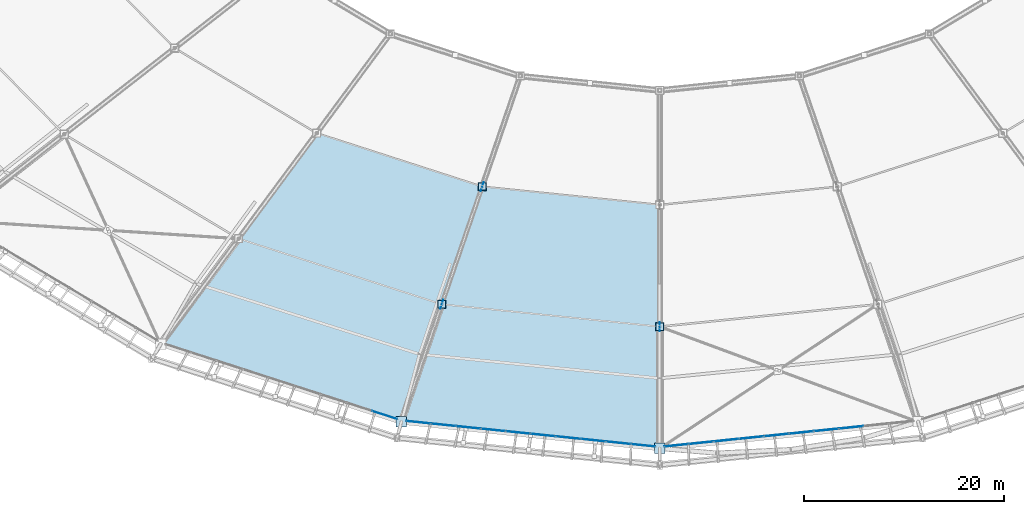
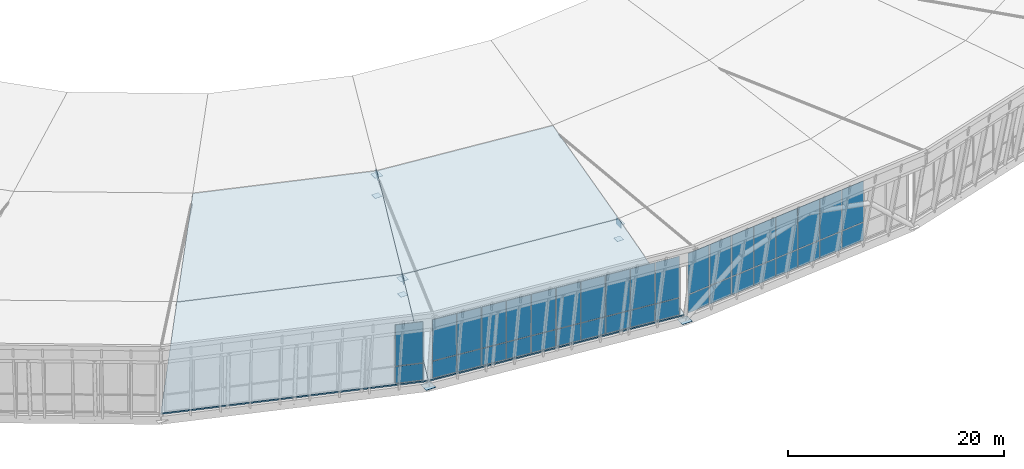
# One storey, part 82 of 115: 49 plates, 4 slabs, 4 elements without a shape of their own.
"""IFC4 building model written with IfcOpenShell, lengths in metres."""

from ifc_helpers import new_model, si_unit, direction, frame, origin, origin_2d, place, context, subcontext, project, spatial, polyline, rectangle, outline, extrude, material, layer, layer_set, type_object, element, aggregate, save


model = new_model("IFC4")

# Units and contexts
model_context = context("Model", 3, precision=1e-05, world=origin(), true_north=direction((0.0, 1.0)))
body_context = subcontext(model_context, "Body", "Model", "MODEL_VIEW")
ifc_project = project(units=[si_unit("LENGTHUNIT", "METRE"), si_unit("AREAUNIT", "SQUARE_METRE"), si_unit("VOLUMEUNIT", "CUBIC_METRE"), si_unit("PLANEANGLEUNIT", "RADIAN"), si_unit("MASSUNIT", "GRAM", prefix="KILO")], contexts=[model_context])

# Site, building, storey
site_placement = place(None, origin())
site = spatial("IfcSite", under=ifc_project, at=site_placement, CompositionType="ELEMENT")
building_placement = place(site_placement, origin())
building = spatial("IfcBuilding", under=site, at=building_placement, Name="Zlatoyarsky Gate Stadium", CompositionType="ELEMENT")
storey_placement = place(building_placement, frame((0.0, 0.0, 31.800048828125)))
storey = spatial("IfcBuildingStorey", under=building, at=storey_placement, Name="RF", CompositionType="ELEMENT", Elevation=31.800048828125)

# Curtain wall, plates
ifc_material_1 = material(Name="Thermally broken anodised aluminium curtain wall", Category="aluminium")
curtain_wall_type_1 = type_object("IfcCurtainWallType", Name="MONUMENTAL ARCHED GATE GLAZING UPPER", PredefinedType="USERDEFINED", material=ifc_material_1)
curtain_wall_1_placement = place(storey_placement, origin())
curtain_wall_1 = element("IfcCurtainWall", 1, at=curtain_wall_1_placement, inside=storey, type_object=curtain_wall_type_1, Name="Curtain wall CW-RF-18", ObjectType="ARCHED GATE GLAZING", PredefinedType="USERDEFINED")
ifc_material_2 = material(Name="Triple-glazed argon low-e architectural glass", Category="glass")
ifc_layer_1 = layer(ifc_material_2, 0.0458984375)
ifc_layer_set_1 = layer_set([ifc_layer_1], Name="Triple-glazed argon low-e architectural glass")
plate_type_1 = type_object("IfcPlateType", Name="ACOUSTIC LAMINATED GATE GLAZING PANEL 46", PredefinedType="CURTAIN_PANEL", material=ifc_layer_set_1)
plate_1_placement = place(storey_placement, frame((112.66943359375, 2.28369140625, 0.074951171875), z_axis=(0.0, 0.0, 1.0), x_axis=(0.994771556649, 0.102125168703, 0.0)))
plate_1 = element("IfcPlate", 2, at=plate_1_placement, type_object=plate_type_1, Name="CW-AG2 panel 1.1", PredefinedType="CURTAIN_PANEL", context=body_context, shape_type="SweptSolid", body=[
    extrude(rectangle(XDim=2.40625, YDim=0.0458984375, at=origin_2d()), origin(), (0.0, 0.0, 1.0), 2.03759765625),
])
plate_2_placement = place(storey_placement, frame((112.66943359375, 2.28369140625, 2.1875), z_axis=(0.0, 0.0, 1.0), x_axis=(0.994771556649, 0.102125168703, 0.0)))
plate_2 = element("IfcPlate", 3, at=plate_2_placement, type_object=plate_type_1, Name="CW-AG2 panel 1.2", PredefinedType="CURTAIN_PANEL", context=body_context, shape_type="SweptSolid", body=[
    extrude(rectangle(XDim=2.40625, YDim=0.0458984375, at=origin_2d()), origin(), (0.0, 0.0, 1.0), 4.637451171875),
])
plate_3_placement = place(storey_placement, frame((115.156494140625, 2.5390625, 0.074951171875), z_axis=(0.0, 0.0, 1.0), x_axis=(0.994771556649, 0.102125168703, 0.0)))
plate_3 = element("IfcPlate", 4, at=plate_3_placement, type_object=plate_type_1, Name="CW-AG2 panel 2.1", PredefinedType="CURTAIN_PANEL", context=body_context, shape_type="SweptSolid", body=[
    extrude(rectangle(XDim=2.44384765625, YDim=0.0458984375, at=origin_2d()), origin(), (0.0, 0.0, 1.0), 2.03759765625),
])
plate_4_placement = place(storey_placement, frame((115.156494140625, 2.5390625, 2.1875), z_axis=(0.0, 0.0, 1.0), x_axis=(0.994771556649, 0.102125168703, 0.0)))
plate_4 = element("IfcPlate", 5, at=plate_4_placement, type_object=plate_type_1, Name="CW-AG2 panel 2.2", PredefinedType="CURTAIN_PANEL", context=body_context, shape_type="SweptSolid", body=[
    extrude(rectangle(XDim=2.44384765625, YDim=0.0458984375, at=origin_2d()), origin(), (0.0, 0.0, 1.0), 4.637451171875),
])
plate_5_placement = place(storey_placement, frame((117.662109375, 2.79638671875, 0.074951171875), z_axis=(0.0, 0.0, 1.0), x_axis=(0.994771556649, 0.102125168703, 0.0)))
plate_5 = element("IfcPlate", 6, at=plate_5_placement, type_object=plate_type_1, Name="CW-AG2 panel 3.1", PredefinedType="CURTAIN_PANEL", context=body_context, shape_type="SweptSolid", body=[
    extrude(rectangle(XDim=2.44384765625, YDim=0.0458984375, at=origin_2d()), origin(), (0.0, 0.0, 1.0), 2.03759765625),
])
plate_6_placement = place(storey_placement, frame((117.662109375, 2.79638671875, 2.1875), z_axis=(0.0, 0.0, 1.0), x_axis=(0.994771556649, 0.102125168703, 0.0)))
plate_6 = element("IfcPlate", 7, at=plate_6_placement, type_object=plate_type_1, Name="CW-AG2 panel 3.2", PredefinedType="CURTAIN_PANEL", context=body_context, shape_type="SweptSolid", body=[
    extrude(rectangle(XDim=2.44384765625, YDim=0.0458984375, at=origin_2d()), origin(), (0.0, 0.0, 1.0), 4.637451171875),
])
plate_7_placement = place(storey_placement, frame((120.16796875, 3.053466796875, 0.074951171875), z_axis=(0.0, 0.0, 1.0), x_axis=(0.994771556649, 0.102125168703, 0.0)))
plate_7 = element("IfcPlate", 8, at=plate_7_placement, type_object=plate_type_1, Name="CW-AG2 panel 4.1", PredefinedType="CURTAIN_PANEL", context=body_context, shape_type="SweptSolid", body=[
    extrude(rectangle(XDim=2.44384765625, YDim=0.0458984375, at=origin_2d()), origin(), (0.0, 0.0, 1.0), 2.03759765625),
])
plate_8_placement = place(storey_placement, frame((120.16796875, 3.053466796875, 2.1875), z_axis=(0.0, 0.0, 1.0), x_axis=(0.994771556649, 0.102125168703, 0.0)))
plate_8 = element("IfcPlate", 9, at=plate_8_placement, type_object=plate_type_1, Name="CW-AG2 panel 4.2", PredefinedType="CURTAIN_PANEL", context=body_context, shape_type="SweptSolid", body=[
    extrude(rectangle(XDim=2.44384765625, YDim=0.0458984375, at=origin_2d()), origin(), (0.0, 0.0, 1.0), 4.637451171875),
])
plate_9_placement = place(storey_placement, frame((122.673583984375, 3.310791015625, 0.074951171875), z_axis=(0.0, 0.0, 1.0), x_axis=(0.994771556649, 0.102125168703, 0.0)))
plate_9 = element("IfcPlate", 10, at=plate_9_placement, type_object=plate_type_1, Name="CW-AG2 panel 5.1", PredefinedType="CURTAIN_PANEL", context=body_context, shape_type="SweptSolid", body=[
    extrude(rectangle(XDim=2.44384765625, YDim=0.0458984375, at=origin_2d()), origin(), (0.0, 0.0, 1.0), 2.03759765625),
])
plate_10_placement = place(storey_placement, frame((122.673583984375, 3.310791015625, 2.1875), z_axis=(0.0, 0.0, 1.0), x_axis=(0.994771556649, 0.102125168703, 0.0)))
plate_10 = element("IfcPlate", 11, at=plate_10_placement, type_object=plate_type_1, Name="CW-AG2 panel 5.2", PredefinedType="CURTAIN_PANEL", context=body_context, shape_type="SweptSolid", body=[
    extrude(rectangle(XDim=2.44384765625, YDim=0.0458984375, at=origin_2d()), origin(), (0.0, 0.0, 1.0), 4.637451171875),
])
plate_11_placement = place(storey_placement, frame((125.17919921875, 3.568115234375, 0.074951171875), z_axis=(0.0, 0.0, 1.0), x_axis=(0.994771556649, 0.102125168703, 0.0)))
plate_11 = element("IfcPlate", 12, at=plate_11_placement, type_object=plate_type_1, Name="CW-AG2 panel 6.1", PredefinedType="CURTAIN_PANEL", context=body_context, shape_type="SweptSolid", body=[
    extrude(rectangle(XDim=2.44384765625, YDim=0.0458984375, at=origin_2d()), origin(), (0.0, 0.0, 1.0), 2.03759765625),
])
plate_12_placement = place(storey_placement, frame((125.17919921875, 3.568115234375, 2.1875), z_axis=(0.0, 0.0, 1.0), x_axis=(0.994771556649, 0.102125168703, 0.0)))
plate_12 = element("IfcPlate", 13, at=plate_12_placement, type_object=plate_type_1, Name="CW-AG2 panel 6.2", PredefinedType="CURTAIN_PANEL", context=body_context, shape_type="SweptSolid", body=[
    extrude(rectangle(XDim=2.44384765625, YDim=0.0458984375, at=origin_2d()), origin(), (0.0, 0.0, 1.0), 4.637451171875),
])
plate_13_placement = place(storey_placement, frame((127.68505859375, 3.8251953125, 0.074951171875), z_axis=(0.0, 0.0, 1.0), x_axis=(0.994771556649, 0.102125168703, 0.0)))
plate_13 = element("IfcPlate", 14, at=plate_13_placement, type_object=plate_type_1, Name="CW-AG2 panel 7.1", PredefinedType="CURTAIN_PANEL", context=body_context, shape_type="SweptSolid", body=[
    extrude(rectangle(XDim=2.44384765625, YDim=0.0458984375, at=origin_2d()), origin(), (0.0, 0.0, 1.0), 2.03759765625),
])
plate_14_placement = place(storey_placement, frame((127.68505859375, 3.8251953125, 2.1875), z_axis=(0.0, 0.0, 1.0), x_axis=(0.994771556649, 0.102125168703, 0.0)))
plate_14 = element("IfcPlate", 15, at=plate_14_placement, type_object=plate_type_1, Name="CW-AG2 panel 7.2", PredefinedType="CURTAIN_PANEL", context=body_context, shape_type="SweptSolid", body=[
    extrude(rectangle(XDim=2.44384765625, YDim=0.0458984375, at=origin_2d()), origin(), (0.0, 0.0, 1.0), 4.637451171875),
])
plate_15_placement = place(storey_placement, frame((130.190673828125, 4.08251953125, 0.074951171875), z_axis=(0.0, 0.0, 1.0), x_axis=(0.994771556649, 0.102125168703, 0.0)))
plate_15 = element("IfcPlate", 16, at=plate_15_placement, type_object=plate_type_1, Name="CW-AG2 panel 8.1", PredefinedType="CURTAIN_PANEL", context=body_context, shape_type="SweptSolid", body=[
    extrude(rectangle(XDim=2.44384765625, YDim=0.0458984375, at=origin_2d()), origin(), (0.0, 0.0, 1.0), 2.03759765625),
])
plate_16_placement = place(storey_placement, frame((130.190673828125, 4.08251953125, 2.1875), z_axis=(0.0, 0.0, 1.0), x_axis=(0.994771556649, 0.102125168703, 0.0)))
plate_16 = element("IfcPlate", 17, at=plate_16_placement, type_object=plate_type_1, Name="CW-AG2 panel 8.2", PredefinedType="CURTAIN_PANEL", context=body_context, shape_type="SweptSolid", body=[
    extrude(rectangle(XDim=2.44384765625, YDim=0.0458984375, at=origin_2d()), origin(), (0.0, 0.0, 1.0), 4.637451171875),
])
aggregate(curtain_wall_1, [plate_1, plate_2, plate_3, plate_4, plate_5, plate_6, plate_7, plate_8, plate_9, plate_10, plate_11, plate_12, plate_13, plate_14, plate_15, plate_16])

# Roof, slabs
ifc_material_3 = material(Name="Standing-seam aluminium-zinc roofing with mineral wool insulation", Category="aluminium")
ifc_layer_2 = layer(ifc_material_3, 0.080078125)
ifc_layer_set_2 = layer_set([ifc_layer_2], Name="Standing-seam aluminium-zinc roofing with mineral wool insulation")
roof_type = type_object("IfcRoofType", Name="STADIUM BARREL VAULT ROOF ASSEMBLY", PredefinedType="BARREL_ROOF", material=ifc_layer_set_2)
roof_placement = place(storey_placement, origin())
roof = element("IfcRoof", 18, at=roof_placement, inside=storey, type_object=roof_type, Name="Stadium barrel arch roof sector 6", PredefinedType="BARREL_ROOF")
ifc_material_4 = material(Name="Concrete C40/50", Category="concrete")
ifc_layer_3 = layer(ifc_material_4, 0.199951171875)
ifc_layer_set_3 = layer_set([ifc_layer_3], Name="Concrete C40/50")
slab_type = type_object("IfcSlabType", Name="COMPOSITE STADIUM ROOF DECK SLAB 200", PredefinedType="ROOF", material=ifc_layer_set_3)
slab_1_placement = place(storey_placement, frame((60.986083984375, 12.426025390625, 0.199951171875), z_axis=(-0.080926633941, -0.25045970369, 0.964738729785), x_axis=(0.951561589275, -0.307458195234, 8.16732e-07)))
slab_1 = element("IfcSlab", 19, at=slab_1_placement, type_object=slab_type, Name="Stadium arched roof deck sector 16 bay 1", PredefinedType="ROOF", context=body_context, shape_type="SweptSolid", body=[
    extrude(outline(polyline([(0.0, 0.0), (25.352803638085895, 0.0), (25.581554553527695, 12.9170218581198), (4.193966523606391, 12.91716689231748), (0.0, 0.0)])), origin(), (0.0, 0.0, -1.0), 0.199951171875),
])
slab_2_placement = place(storey_placement, frame((68.808349609375, 22.99462890625, 3.599853515625), z_axis=(-0.075351968542, -0.233204753285, 0.969503802923), x_axis=(0.951559522359, -0.30746459212, -3.31256e-07)))
slab_2 = element("IfcSlab", 20, at=slab_2_placement, type_object=slab_type, Name="Stadium arched roof deck sector 16 bay 2", PredefinedType="ROOF", context=body_context, shape_type="SweptSolid", body=[
    extrude(outline(polyline([(0.0, 0.0), (21.387588030422577, -1.7763568394002505e-15), (21.616176287943148, 12.853768736129386), (4.193878929177778, 12.853716278917283), (0.0, 0.0)])), origin(), (0.0, 0.0, -1.0), 0.199951171875),
])
slab_3_placement = place(storey_placement, frame((85.11083984375, 4.631103515625, 0.199951171875), z_axis=(-0.027549713933, -0.26827762125, 0.962947626405), x_axis=(0.994768228243, -0.102157584529, -1.052656e-06)))
slab_3 = element("IfcSlab", 21, at=slab_3_placement, type_object=slab_type, Name="Stadium arched roof deck sector 17 bay 1", PredefinedType="ROOF", context=body_context, shape_type="SweptSolid", body=[
    extrude(outline(polyline([(0.0, 0.0), (26.02531947140747, -4.440892098500626e-16), (24.77862423714168, 12.606873682931372), (2.823692360814947, 12.606686405062462), (0.0, 0.0)])), origin(), (0.0, 0.0, -1.0), 0.199951171875),
])
slab_4_placement = place(storey_placement, frame((89.159912109375, 16.418701171875, 3.599853515625), z_axis=(-0.025658712336, -0.249859215045, 0.967942148653), x_axis=(0.994769061755, -0.102149467801, 1.557277e-06)))
slab_4 = element("IfcSlab", 22, at=slab_4_placement, type_object=slab_type, Name="Stadium arched roof deck sector 17 bay 2", PredefinedType="ROOF", context=body_context, shape_type="SweptSolid", body=[
    extrude(outline(polyline([(0.0, 0.0), (21.954931877115506, 0.0), (20.70836911967818, 12.541599680499349), (2.8237749582387486, 12.541846686090652), (0.0, 0.0)])), origin(), (0.0, 0.0, -1.0), 0.199951171875),
])
aggregate(roof, [slab_1, slab_2, slab_3, slab_4])

# Plates
ifc_material_5 = material(Name="Steel S355", Category="steel")
ifc_layer_4 = layer(ifc_material_5, 0.02392578125)
ifc_layer_set_4 = layer_set([ifc_layer_4], Name="Steel S355")
plate_type_2 = type_object("IfcPlateType", Name="STEEL COMPRESSION RING NODE CAP SHEET 24", PredefinedType="SHEET", material=ifc_layer_set_4)
for number, where, z_axis, x_axis, name in (
    (23, (85.111083984375, 4.631103515625, -0.4619140625), (0.0, 0.0, 1.0), (1.0, 0.0, 0.0), "Node closure plate ND-CR1 NCAP-CR-17"),
    (24, (111.0, 1.972412109375, -0.4619140625), (0.0, 0.0, 1.0), (1.0, 0.0, 0.0), "Node closure plate ND-CR1 NCAP-CR-18"),
):
    element("IfcPlate", number, at=place(storey_placement, frame(where, z_axis=z_axis, x_axis=x_axis)), inside=storey, type_object=plate_type_2, Name=name, PredefinedType="SHEET", context=body_context, shape_type="SweptSolid", body=[
        extrude(rectangle(XDim=1.050048828125, YDim=1.050048828125, at=origin_2d()), origin(), (0.0, 0.0, 1.0), 0.02392578125),
    ])
ifc_layer_5 = layer(ifc_material_5, 0.02392578125)
ifc_layer_set_5 = layer_set([ifc_layer_5], Name="Steel S355")
plate_type_3 = type_object("IfcPlateType", Name="STEEL HOLLOW CHORD SPLICE SHEET 24", PredefinedType="SHEET", material=ifc_layer_set_5)
plate_17_placement = place(storey_placement, frame((89.159912109375, 16.418701171875, 3.137939453125), z_axis=(0.0, 0.0, 1.0), x_axis=(1.0, 0.0, 0.0)))
element("IfcPlate", 25, at=plate_17_placement, inside=storey, type_object=plate_type_3, Name="Node closure plate ND-SP1 NCAP-TCH-17-1", PredefinedType="SHEET", context=body_context, shape_type="SweptSolid", body=[
    extrude(rectangle(XDim=0.85009765625, YDim=0.85009765625, at=origin_2d()), origin(), (0.0, 0.0, 1.0), 0.02392578125),
])
plate_18_placement = place(storey_placement, frame((89.159912109375, 16.418701171875, 1.337890625), z_axis=(0.0, 0.0, 1.0), x_axis=(1.0, 0.0, 0.0)))
element("IfcPlate", 26, at=plate_18_placement, inside=storey, type_object=plate_type_3, Name="Node closure plate ND-SP1 NCAP-BCH-17-1", PredefinedType="SHEET", context=body_context, shape_type="SweptSolid", body=[
    extrude(rectangle(XDim=0.719970703125, YDim=0.719970703125, at=origin_2d()), origin(), (0.0, 0.0, 1.0), 0.02392578125),
])
plate_19_placement = place(storey_placement, frame((93.208984375, 28.20654296875, 6.2880859375), z_axis=(0.0, 0.0, 1.0), x_axis=(1.0, 0.0, 0.0)))
element("IfcPlate", 27, at=plate_19_placement, inside=storey, type_object=plate_type_3, Name="Node closure plate ND-SP1 NCAP-TCH-17-2", PredefinedType="SHEET", context=body_context, shape_type="SweptSolid", body=[
    extrude(rectangle(XDim=0.85009765625, YDim=0.85009765625, at=origin_2d()), origin(), (0.0, 0.0, 1.0), 0.02392578125),
])
plate_20_placement = place(storey_placement, frame((93.208984375, 28.20654296875, 3.93798828125), z_axis=(0.0, 0.0, 1.0), x_axis=(1.0, 0.0, 0.0)))
element("IfcPlate", 28, at=plate_20_placement, inside=storey, type_object=plate_type_3, Name="Node closure plate ND-SP1 NCAP-BCH-17-2", PredefinedType="SHEET", context=body_context, shape_type="SweptSolid", body=[
    extrude(rectangle(XDim=0.719970703125, YDim=0.719970703125, at=origin_2d()), origin(), (0.0, 0.0, 1.0), 0.02392578125),
])
plate_21_placement = place(storey_placement, frame((111.0, 14.17578125, 3.137939453125), z_axis=(0.0, 0.0, 1.0), x_axis=(1.0, 0.0, 0.0)))
element("IfcPlate", 29, at=plate_21_placement, inside=storey, type_object=plate_type_3, Name="Node closure plate ND-SP1 NCAP-TCH-18-1", PredefinedType="SHEET", context=body_context, shape_type="SweptSolid", body=[
    extrude(rectangle(XDim=0.85009765625, YDim=0.85009765625, at=origin_2d()), origin(), (0.0, 0.0, 1.0), 0.02392578125),
])
plate_22_placement = place(storey_placement, frame((111.0, 14.17578125, 1.337890625), z_axis=(0.0, 0.0, 1.0), x_axis=(1.0, 0.0, 0.0)))
element("IfcPlate", 30, at=plate_22_placement, inside=storey, type_object=plate_type_3, Name="Node closure plate ND-SP1 NCAP-BCH-18-1", PredefinedType="SHEET", context=body_context, shape_type="SweptSolid", body=[
    extrude(rectangle(XDim=0.719970703125, YDim=0.719970703125, at=origin_2d()), origin(), (0.0, 0.0, 1.0), 0.02392578125),
])
ifc_layer_6 = layer(ifc_material_5, 0.031982421875)
ifc_layer_set_6 = layer_set([ifc_layer_6], Name="Steel S355")
plate_type_4 = type_object("IfcPlateType", Name="STEEL RADIAL TRUSS GUSSET PLATE 32", PredefinedType="USERDEFINED", material=ifc_layer_set_6)
for number, where, z_axis, x_axis, name in (
    (31, (89.159912109375, 16.418701171875, 2.7900390625), (0.0, 0.0, 1.0), (0.324866508477, 0.945759880556, 0.0), "Radial truss gusset plate ND-WB1 17.1"),
    (32, (93.208984375, 28.20654296875, 5.93994140625), (0.0, 0.0, 1.0), (0.324866508477, 0.945759880556, 0.0), "Radial truss gusset plate ND-WB1 17.2"),
    (33, (111.0, 14.176025390625, 2.7900390625), (0.0, 0.0, 1.0), (0.0, 1.0, 0.0), "Radial truss gusset plate ND-WB1 18.1"),
):
    element("IfcPlate", number, at=place(storey_placement, frame(where, z_axis=z_axis, x_axis=x_axis)), inside=storey, type_object=plate_type_4, Name=name, ObjectType="GUSSET PLATE", PredefinedType="USERDEFINED", context=body_context, shape_type="SweptSolid", body=[
        extrude(rectangle(XDim=0.919921875, YDim=0.031982421875, at=origin_2d()), origin(), (0.0, 0.0, 1.0), 0.719970703125),
    ])

# Curtain wall, plates
curtain_wall_type_2 = type_object("IfcCurtainWallType", Name="UNITISED SKYBOX RING GLAZING L05", PredefinedType="USERDEFINED", material=ifc_material_1)
curtain_wall_2_placement = place(storey_placement, origin())
curtain_wall_2 = element("IfcCurtainWall", 34, at=curtain_wall_2_placement, inside=storey, type_object=curtain_wall_type_2, Name="Curtain wall CW-RF-16", ObjectType="UNITISED GLAZING", PredefinedType="USERDEFINED")
ifc_layer_7 = layer(ifc_material_2, 0.0380859375)
ifc_layer_set_7 = layer_set([ifc_layer_7], Name="Triple-glazed argon low-e architectural glass")
plate_type_5 = type_object("IfcPlateType", Name="TRIPLE GLAZED LOW E CURTAIN PANEL 38", PredefinedType="CURTAIN_PANEL", material=ifc_layer_set_7)
plate_23_placement = place(storey_placement, frame((83.455078125, 5.31298828125, 0.06494140625), z_axis=(0.0, 0.0, 1.0), x_axis=(0.951595836439, -0.307352182475, 0.0)))
plate_23 = element("IfcPlate", 35, at=plate_23_placement, type_object=plate_type_5, Name="CW-UG5 panel 9.1", PredefinedType="CURTAIN_PANEL", context=body_context, shape_type="SweptSolid", body=[
    extrude(rectangle(XDim=2.62646484375, YDim=0.0380859375, at=origin_2d()), origin(), (0.0, 0.0, 1.0), 2.052490234375),
])
plate_24_placement = place(storey_placement, frame((83.455078125, 5.31298828125, 2.1826171875), z_axis=(0.0, 0.0, 1.0), x_axis=(0.951595836439, -0.307352182475, 0.0)))
plate_24 = element("IfcPlate", 36, at=plate_24_placement, type_object=plate_type_5, Name="CW-UG5 panel 9.2", PredefinedType="CURTAIN_PANEL", context=body_context, shape_type="SweptSolid", body=[
    extrude(rectangle(XDim=2.62646484375, YDim=0.0380859375, at=origin_2d()), origin(), (0.0, 0.0, 1.0), 4.652587890625),
])
aggregate(curtain_wall_2, [plate_23, plate_24])

curtain_wall_3_placement = place(storey_placement, origin())
curtain_wall_3 = element("IfcCurtainWall", 37, at=curtain_wall_3_placement, inside=storey, type_object=curtain_wall_type_2, Name="Curtain wall CW-RF-17", ObjectType="UNITISED GLAZING", PredefinedType="USERDEFINED")
plate_25_placement = place(storey_placement, frame((86.814208984375, 4.59521484375, 0.06494140625), z_axis=(0.0, 0.0, 1.0), x_axis=(0.994771556649, -0.102125168703, 0.0)))
plate_25 = element("IfcPlate", 38, at=plate_25_placement, type_object=plate_type_5, Name="CW-UG5 panel 1.1", PredefinedType="CURTAIN_PANEL", context=body_context, shape_type="SweptSolid", body=[
    extrude(rectangle(XDim=2.42138671875, YDim=0.0380859375, at=origin_2d()), origin(), (0.0, 0.0, 1.0), 2.052490234375),
])
plate_26_placement = place(storey_placement, frame((86.814208984375, 4.59521484375, 2.1826171875), z_axis=(0.0, 0.0, 1.0), x_axis=(0.994771556649, -0.102125168703, 0.0)))
plate_26 = element("IfcPlate", 39, at=plate_26_placement, type_object=plate_type_5, Name="CW-UG5 panel 1.2", PredefinedType="CURTAIN_PANEL", context=body_context, shape_type="SweptSolid", body=[
    extrude(rectangle(XDim=2.42138671875, YDim=0.0380859375, at=origin_2d()), origin(), (0.0, 0.0, 1.0), 4.652587890625),
])
plate_27_placement = place(storey_placement, frame((89.3037109375, 4.33984375, 0.06494140625), z_axis=(0.0, 0.0, 1.0), x_axis=(0.994771556649, -0.102125168703, 0.0)))
plate_27 = element("IfcPlate", 40, at=plate_27_placement, type_object=plate_type_5, Name="CW-UG5 panel 2.1", PredefinedType="CURTAIN_PANEL", context=body_context, shape_type="SweptSolid", body=[
    extrude(rectangle(XDim=2.453857421875, YDim=0.0380859375, at=origin_2d()), origin(), (0.0, 0.0, 1.0), 2.052490234375),
])
plate_28_placement = place(storey_placement, frame((89.3037109375, 4.33984375, 2.1826171875), z_axis=(0.0, 0.0, 1.0), x_axis=(0.994771556649, -0.102125168703, 0.0)))
plate_28 = element("IfcPlate", 41, at=plate_28_placement, type_object=plate_type_5, Name="CW-UG5 panel 2.2", PredefinedType="CURTAIN_PANEL", context=body_context, shape_type="SweptSolid", body=[
    extrude(rectangle(XDim=2.453857421875, YDim=0.0380859375, at=origin_2d()), origin(), (0.0, 0.0, 1.0), 4.652587890625),
])
plate_29_placement = place(storey_placement, frame((91.809326171875, 4.08251953125, 0.06494140625), z_axis=(0.0, 0.0, 1.0), x_axis=(0.994771556649, -0.102125168703, 0.0)))
plate_29 = element("IfcPlate", 42, at=plate_29_placement, type_object=plate_type_5, Name="CW-UG5 panel 3.1", PredefinedType="CURTAIN_PANEL", context=body_context, shape_type="SweptSolid", body=[
    extrude(rectangle(XDim=2.453857421875, YDim=0.0380859375, at=origin_2d()), origin(), (0.0, 0.0, 1.0), 2.052490234375),
])
plate_30_placement = place(storey_placement, frame((91.809326171875, 4.08251953125, 2.1826171875), z_axis=(0.0, 0.0, 1.0), x_axis=(0.994771556649, -0.102125168703, 0.0)))
plate_30 = element("IfcPlate", 43, at=plate_30_placement, type_object=plate_type_5, Name="CW-UG5 panel 3.2", PredefinedType="CURTAIN_PANEL", context=body_context, shape_type="SweptSolid", body=[
    extrude(rectangle(XDim=2.453857421875, YDim=0.0380859375, at=origin_2d()), origin(), (0.0, 0.0, 1.0), 4.652587890625),
])
plate_31_placement = place(storey_placement, frame((94.31494140625, 3.8251953125, 0.06494140625), z_axis=(0.0, 0.0, 1.0), x_axis=(0.994771556649, -0.102125168703, 0.0)))
plate_31 = element("IfcPlate", 44, at=plate_31_placement, type_object=plate_type_5, Name="CW-UG5 panel 4.1", PredefinedType="CURTAIN_PANEL", context=body_context, shape_type="SweptSolid", body=[
    extrude(rectangle(XDim=2.453857421875, YDim=0.0380859375, at=origin_2d()), origin(), (0.0, 0.0, 1.0), 2.052490234375),
])
plate_32_placement = place(storey_placement, frame((94.31494140625, 3.8251953125, 2.1826171875), z_axis=(0.0, 0.0, 1.0), x_axis=(0.994771556649, -0.102125168703, 0.0)))
plate_32 = element("IfcPlate", 45, at=plate_32_placement, type_object=plate_type_5, Name="CW-UG5 panel 4.2", PredefinedType="CURTAIN_PANEL", context=body_context, shape_type="SweptSolid", body=[
    extrude(rectangle(XDim=2.453857421875, YDim=0.0380859375, at=origin_2d()), origin(), (0.0, 0.0, 1.0), 4.652587890625),
])
plate_33_placement = place(storey_placement, frame((96.82080078125, 3.568115234375, 0.06494140625), z_axis=(0.0, 0.0, 1.0), x_axis=(0.994771556649, -0.102125168703, 0.0)))
plate_33 = element("IfcPlate", 46, at=plate_33_placement, type_object=plate_type_5, Name="CW-UG5 panel 5.1", PredefinedType="CURTAIN_PANEL", context=body_context, shape_type="SweptSolid", body=[
    extrude(rectangle(XDim=2.453857421875, YDim=0.0380859375, at=origin_2d()), origin(), (0.0, 0.0, 1.0), 2.052490234375),
])
plate_34_placement = place(storey_placement, frame((96.82080078125, 3.568115234375, 2.1826171875), z_axis=(0.0, 0.0, 1.0), x_axis=(0.994771556649, -0.102125168703, 0.0)))
plate_34 = element("IfcPlate", 47, at=plate_34_placement, type_object=plate_type_5, Name="CW-UG5 panel 5.2", PredefinedType="CURTAIN_PANEL", context=body_context, shape_type="SweptSolid", body=[
    extrude(rectangle(XDim=2.453857421875, YDim=0.0380859375, at=origin_2d()), origin(), (0.0, 0.0, 1.0), 4.652587890625),
])
plate_35_placement = place(storey_placement, frame((99.326416015625, 3.310791015625, 0.06494140625), z_axis=(0.0, 0.0, 1.0), x_axis=(0.994771556649, -0.102125168703, 0.0)))
plate_35 = element("IfcPlate", 48, at=plate_35_placement, type_object=plate_type_5, Name="CW-UG5 panel 6.1", PredefinedType="CURTAIN_PANEL", context=body_context, shape_type="SweptSolid", body=[
    extrude(rectangle(XDim=2.453857421875, YDim=0.0380859375, at=origin_2d()), origin(), (0.0, 0.0, 1.0), 2.052490234375),
])
plate_36_placement = place(storey_placement, frame((99.326416015625, 3.310791015625, 2.1826171875), z_axis=(0.0, 0.0, 1.0), x_axis=(0.994771556649, -0.102125168703, 0.0)))
plate_36 = element("IfcPlate", 49, at=plate_36_placement, type_object=plate_type_5, Name="CW-UG5 panel 6.2", PredefinedType="CURTAIN_PANEL", context=body_context, shape_type="SweptSolid", body=[
    extrude(rectangle(XDim=2.453857421875, YDim=0.0380859375, at=origin_2d()), origin(), (0.0, 0.0, 1.0), 4.652587890625),
])
plate_37_placement = place(storey_placement, frame((101.83203125, 3.053466796875, 0.06494140625), z_axis=(0.0, 0.0, 1.0), x_axis=(0.994771556649, -0.102125168703, 0.0)))
plate_37 = element("IfcPlate", 50, at=plate_37_placement, type_object=plate_type_5, Name="CW-UG5 panel 7.1", PredefinedType="CURTAIN_PANEL", context=body_context, shape_type="SweptSolid", body=[
    extrude(rectangle(XDim=2.453857421875, YDim=0.0380859375, at=origin_2d()), origin(), (0.0, 0.0, 1.0), 2.052490234375),
])
plate_38_placement = place(storey_placement, frame((101.83203125, 3.053466796875, 2.1826171875), z_axis=(0.0, 0.0, 1.0), x_axis=(0.994771556649, -0.102125168703, 0.0)))
plate_38 = element("IfcPlate", 51, at=plate_38_placement, type_object=plate_type_5, Name="CW-UG5 panel 7.2", PredefinedType="CURTAIN_PANEL", context=body_context, shape_type="SweptSolid", body=[
    extrude(rectangle(XDim=2.453857421875, YDim=0.0380859375, at=origin_2d()), origin(), (0.0, 0.0, 1.0), 4.652587890625),
])
plate_39_placement = place(storey_placement, frame((104.337890625, 2.79638671875, 0.06494140625), z_axis=(0.0, 0.0, 1.0), x_axis=(0.994771556649, -0.102125168703, 0.0)))
plate_39 = element("IfcPlate", 52, at=plate_39_placement, type_object=plate_type_5, Name="CW-UG5 panel 8.1", PredefinedType="CURTAIN_PANEL", context=body_context, shape_type="SweptSolid", body=[
    extrude(rectangle(XDim=2.453857421875, YDim=0.0380859375, at=origin_2d()), origin(), (0.0, 0.0, 1.0), 2.052490234375),
])
plate_40_placement = place(storey_placement, frame((104.337890625, 2.79638671875, 2.1826171875), z_axis=(0.0, 0.0, 1.0), x_axis=(0.994771556649, -0.102125168703, 0.0)))
plate_40 = element("IfcPlate", 53, at=plate_40_placement, type_object=plate_type_5, Name="CW-UG5 panel 8.2", PredefinedType="CURTAIN_PANEL", context=body_context, shape_type="SweptSolid", body=[
    extrude(rectangle(XDim=2.453857421875, YDim=0.0380859375, at=origin_2d()), origin(), (0.0, 0.0, 1.0), 4.652587890625),
])
plate_41_placement = place(storey_placement, frame((106.843505859375, 2.5390625, 0.06494140625), z_axis=(0.0, 0.0, 1.0), x_axis=(0.994771556649, -0.102125168703, 0.0)))
plate_41 = element("IfcPlate", 54, at=plate_41_placement, type_object=plate_type_5, Name="CW-UG5 panel 9.1", PredefinedType="CURTAIN_PANEL", context=body_context, shape_type="SweptSolid", body=[
    extrude(rectangle(XDim=2.453857421875, YDim=0.0380859375, at=origin_2d()), origin(), (0.0, 0.0, 1.0), 2.052490234375),
])
plate_42_placement = place(storey_placement, frame((106.843505859375, 2.5390625, 2.1826171875), z_axis=(0.0, 0.0, 1.0), x_axis=(0.994771556649, -0.102125168703, 0.0)))
plate_42 = element("IfcPlate", 55, at=plate_42_placement, type_object=plate_type_5, Name="CW-UG5 panel 9.2", PredefinedType="CURTAIN_PANEL", context=body_context, shape_type="SweptSolid", body=[
    extrude(rectangle(XDim=2.453857421875, YDim=0.0380859375, at=origin_2d()), origin(), (0.0, 0.0, 1.0), 4.652587890625),
])
plate_43_placement = place(storey_placement, frame((109.3330078125, 2.283447265625, 0.06494140625), z_axis=(0.0, 0.0, 1.0), x_axis=(0.994771556649, -0.102125168703, 0.0)))
plate_43 = element("IfcPlate", 56, at=plate_43_placement, type_object=plate_type_5, Name="CW-UG5 panel 10.1", PredefinedType="CURTAIN_PANEL", context=body_context, shape_type="SweptSolid", body=[
    extrude(rectangle(XDim=2.42138671875, YDim=0.0380859375, at=origin_2d()), origin(), (0.0, 0.0, 1.0), 2.052490234375),
])
plate_44_placement = place(storey_placement, frame((109.3330078125, 2.283447265625, 2.1826171875), z_axis=(0.0, 0.0, 1.0), x_axis=(0.994771556649, -0.102125168703, 0.0)))
plate_44 = element("IfcPlate", 57, at=plate_44_placement, type_object=plate_type_5, Name="CW-UG5 panel 10.2", PredefinedType="CURTAIN_PANEL", context=body_context, shape_type="SweptSolid", body=[
    extrude(rectangle(XDim=2.42138671875, YDim=0.0380859375, at=origin_2d()), origin(), (0.0, 0.0, 1.0), 4.652587890625),
])
aggregate(curtain_wall_3, [plate_25, plate_26, plate_27, plate_28, plate_29, plate_30, plate_31, plate_32, plate_33, plate_34, plate_35, plate_36, plate_37, plate_38, plate_39, plate_40, plate_41, plate_42, plate_43, plate_44])

save(model, "model.ifc")
